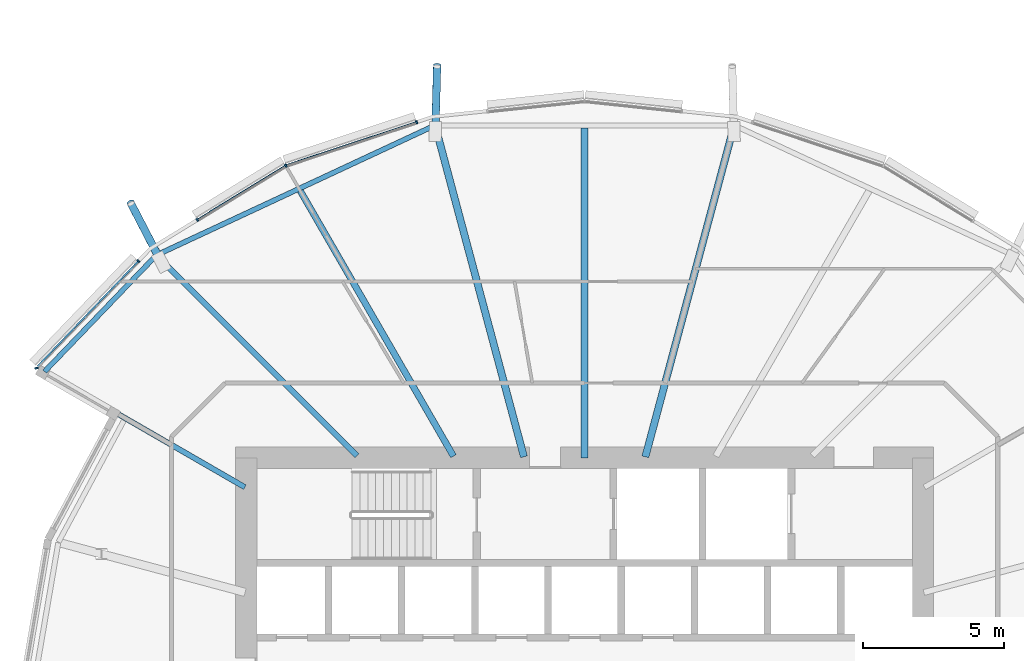
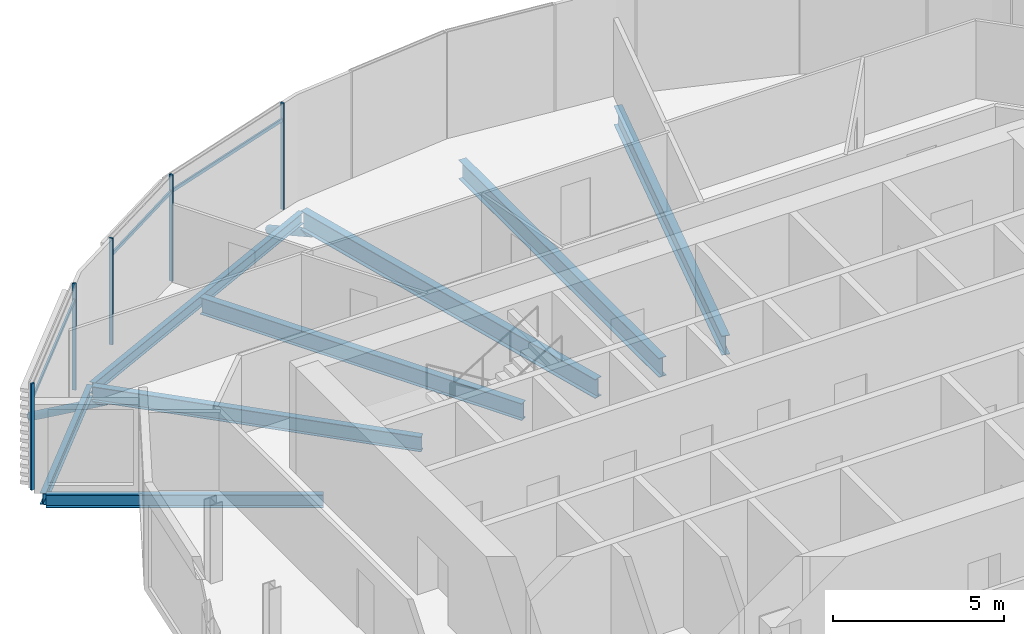
# One storey, part 10 of 38: 10 members, 8 beams, 1 element without a shape of its own.
"""IFC4 building model written with IfcOpenShell, lengths in metres."""

import ifcopenshell
import ifcopenshell.guid

model = None  # the IFC model being written
_history = None  # IfcOwnerHistory: only IFC2X3 demands one
_inside = {}  # id of a spatial element -> (the spatial element, [elements in it])
_under = {}  # id of a project, library or spatial element -> (it, [spatial elements below it])
_declared = {}  # id of a project -> (the project, [libraries it declares])
_typed = {}  # id of a type object -> (the type object, [elements of that type])
_made_of = {}  # id of a material, layer set ... -> (it, [elements and type objects made of it])


def new_model(schema):
    """Start an empty IFC model of exactly this schema.

    Asked for "IFC4X3", IfcOpenShell would pick the latest addendum, in which some entities
    have other attributes; the version numbers below select the first issue.
    IFC2X3 requires an IfcOwnerHistory on every rooted entity: one is made here for all.
    """
    global model, _history
    if schema == "IFC4X3":
        model = ifcopenshell.file(schema_version=(4, 3, 0, 0))
    else:
        model = ifcopenshell.file(schema=schema)
    _inside.clear()
    _under.clear()
    _declared.clear()
    _typed.clear()
    _made_of.clear()
    _history = None
    if model.schema == "IFC2X3":
        org = make("IfcOrganization", Name="unknown")
        user = make(
            "IfcPersonAndOrganization",
            ThePerson=make("IfcPerson", FamilyName="unknown"),
            TheOrganization=org,
        )
        app = make(
            "IfcApplication",
            ApplicationDeveloper=org,
            Version="unknown",
            ApplicationFullName="unknown",
            ApplicationIdentifier="unknown",
        )
        _history = make(
            "IfcOwnerHistory",
            OwningUser=user,
            OwningApplication=app,
            ChangeAction="ADDED",
            CreationDate=0,
        )
    return model


def make(cls, **values):
    """One entity of the class cls with the attributes given. An attribute that is None is left unset."""
    return model.create_entity(
        cls, **{name: value for name, value in values.items() if value is not None}
    )


def rooted(cls, **values):
    """An entity with a GlobalId (a new one), such as an element, a storey or a relation."""
    return make(cls, GlobalId=ifcopenshell.guid.new(), OwnerHistory=_history, **values)


def si_unit(unit_type, name, prefix=None):
    """IfcSIUnit, for example si_unit("LENGTHUNIT", "METRE", prefix="MILLI")."""
    return make("IfcSIUnit", UnitType=unit_type, Prefix=prefix, Name=name)


def assignment(units):
    """IfcUnitAssignment: the units of a project."""
    return None if units is None else make("IfcUnitAssignment", Units=units)


def point(xyz):
    """IfcCartesianPoint."""
    return None if xyz is None else make("IfcCartesianPoint", Coordinates=xyz)


def direction(xyz):
    """IfcDirection."""
    return None if xyz is None else make("IfcDirection", DirectionRatios=xyz)


def frame(location, z_axis=None, x_axis=None):
    """IfcAxis2Placement3D, a coordinate frame: its origin and axes. An axis left out is left unset."""
    return make(
        "IfcAxis2Placement3D",
        Location=point(location),
        Axis=direction(z_axis),
        RefDirection=direction(x_axis),
    )


def frame_2d(location, x_axis=None):
    """IfcAxis2Placement2D, a coordinate frame in the plane: its origin and x axis."""
    return make(
        "IfcAxis2Placement2D", Location=point(location), RefDirection=direction(x_axis)
    )


def origin():
    """The frame at (0, 0, 0) with its axes left unset."""
    return frame((0.0, 0.0, 0.0))


def origin_2d():
    """The frame at (0, 0) in the plane with its x axis left unset."""
    return frame_2d((0.0, 0.0))


def place(relative_to, where):
    """IfcLocalPlacement: puts the frame where relative to a parent placement (None: the world)."""
    return make(
        "IfcLocalPlacement", PlacementRelTo=relative_to, RelativePlacement=where
    )


def context(
    kind, dimensions, precision=None, world=None, true_north=None, identifier=None
):
    """IfcGeometricRepresentationContext, for example the 3D "Model" context."""
    return make(
        "IfcGeometricRepresentationContext",
        ContextIdentifier=identifier,
        ContextType=kind,
        CoordinateSpaceDimension=dimensions,
        Precision=precision,
        WorldCoordinateSystem=world,
        TrueNorth=true_north,
    )


def subcontext(parent, identifier, kind, view, scale=None):
    """IfcGeometricRepresentationSubContext, for example "Body" below "Model"."""
    return make(
        "IfcGeometricRepresentationSubContext",
        ContextIdentifier=identifier,
        ContextType=kind,
        ParentContext=parent,
        TargetScale=scale,
        TargetView=view,
    )


def project(units=None, contexts=None):
    """IfcProject with its units and contexts."""
    return rooted(
        "IfcProject",
        Name="project",
        RepresentationContexts=contexts,
        UnitsInContext=assignment(units),
    )


def spatial(cls, under=None, at=None, **own):
    """A site, building, storey or space (cls), placed at a placement, below another one or the project."""
    s = rooted(cls, ObjectPlacement=at, **own)
    if under is not None:
        _under.setdefault(under.id(), (under, []))[1].append(s)
    return s


def profile(cls, at=None, kind="AREA", **sizes):
    """A parametric profile (cls). Its sizes go by their IFC names, for example OverallWidth=200.0."""
    return make(cls, ProfileType=kind, Position=at, **sizes)


def rectangle(**sizes):
    """IfcRectangleProfileDef."""
    return profile("IfcRectangleProfileDef", **sizes)


def hollow_circle(**sizes):
    """IfcCircleHollowProfileDef."""
    return profile("IfcCircleHollowProfileDef", **sizes)


def i_section(**sizes):
    """IfcIShapeProfileDef."""
    return profile("IfcIShapeProfileDef", **sizes)


def extrude(swept, where, along, depth):
    """IfcExtrudedAreaSolid: the profile swept, set in the frame where, extruded along a direction by depth."""
    return make(
        "IfcExtrudedAreaSolid",
        SweptArea=swept,
        Position=where,
        ExtrudedDirection=direction(along),
        Depth=depth,
    )


def clip(a, b, op="DIFFERENCE"):
    """IfcBooleanClippingResult: the solid a cut by the half space b."""
    return make(
        "IfcBooleanClippingResult", Operator=op, FirstOperand=a, SecondOperand=b
    )


def halfspace(plane, agree):
    """IfcHalfSpaceSolid: all space on one side of the plane z = 0 of the frame plane."""
    return make(
        "IfcHalfSpaceSolid",
        BaseSurface=make("IfcPlane", Position=plane),
        AgreementFlag=agree,
    )


def shape(context_of_items, identifier, shape_type, items):
    """IfcShapeRepresentation: the items that make up one representation, for example the "Body"."""
    return make(
        "IfcShapeRepresentation",
        ContextOfItems=context_of_items,
        RepresentationIdentifier=identifier,
        RepresentationType=shape_type,
        Items=items,
    )


def material(Name=None, Category=None):
    """IfcMaterial."""
    return make("IfcMaterial", Name=Name, Category=Category)


def material_profile(
    of_material, cross_section, Name=None, Category=None, Priority=None
):
    """IfcMaterialProfile: a cross section and its material."""
    return make(
        "IfcMaterialProfile",
        Name=Name,
        Material=of_material,
        Profile=cross_section,
        Priority=Priority,
        Category=Category,
    )


def profile_set(profiles, Name=None, composite=None):
    """IfcMaterialProfileSet."""
    return make(
        "IfcMaterialProfileSet",
        Name=Name,
        MaterialProfiles=profiles,
        CompositeProfile=composite,
    )


def made_of(thing, what):
    """Note that an element or type object is made of a material, layer set ...; save() writes the relation."""
    if what is not None:
        _made_of.setdefault(what.id(), (what, []))[1].append(thing)
    return thing


def type_object(cls, material=None, **own):
    """A type object (cls), such as IfcWallType, which elements share."""
    return made_of(rooted(cls, **own), material)


def element(
    cls,
    number,
    at=None,
    inside=None,
    cuts=None,
    type_object=None,
    material=None,
    context=None,
    identifier="Body",
    shape_type=None,
    held_by="IfcProductDefinitionShape",
    body=None,
    shapes=None,
    **own,
):
    """One element of the class cls, such as IfcWall. Its Tag is "e" and its number.

    at: its placement. inside: the storey or other place that contains it. cuts: it is an
    opening in that element (IfcRelVoidsElement). A single representation is given by context,
    identifier, shape_type and body (its items); several are given by shapes. held_by: the class
    of the entity that holds the representations. save() writes the other relations.
    """
    e = rooted(cls, Tag="e%d" % number, ObjectPlacement=at, **own)
    if body is not None:
        shapes = [shape(context, identifier, shape_type, body)]
    if shapes is not None:
        e.Representation = make(held_by, Representations=shapes)
    if inside is not None:
        _inside.setdefault(inside.id(), (inside, []))[1].append(e)
    if cuts is not None:
        rooted(
            "IfcRelVoidsElement", RelatingBuildingElement=cuts, RelatedOpeningElement=e
        )
    if type_object is not None:
        _typed.setdefault(type_object.id(), (type_object, []))[1].append(e)
    return made_of(e, material)


def aggregate(whole, parts):
    """IfcRelAggregates: a whole, such as a stair, and the parts it consists of."""
    return rooted("IfcRelAggregates", RelatingObject=whole, RelatedObjects=parts)


def save(model, path):
    """Write the relations noted so far, then the file.

    IfcRelAggregates (storeys below a building ...), IfcRelContainedInSpatialStructure (elements
    in a storey), IfcRelDefinesByType, IfcRelAssociatesMaterial and IfcRelDeclares: one each for
    every whole, place, type object, material and project.
    """
    for whole, parts in _under.values():
        aggregate(whole, parts)
    for where, things in _inside.values():
        rooted(
            "IfcRelContainedInSpatialStructure",
            RelatedElements=things,
            RelatingStructure=where,
        )
    for kind, things in _typed.values():
        rooted("IfcRelDefinesByType", RelatedObjects=things, RelatingType=kind)
    for what, things in _made_of.values():
        rooted("IfcRelAssociatesMaterial", RelatedObjects=things, RelatingMaterial=what)
    for by, libraries in _declared.values():
        rooted("IfcRelDeclares", RelatingContext=by, RelatedDefinitions=libraries)
    model.write(path)


model = new_model("IFC4")

# Units and contexts
model_context = context("Model", 3, precision=1e-05, world=origin(), true_north=direction((0.0, 1.0)))
body_context = subcontext(model_context, "Body", "Model", "MODEL_VIEW")
ifc_project = project(units=[si_unit("LENGTHUNIT", "METRE"), si_unit("AREAUNIT", "SQUARE_METRE"), si_unit("VOLUMEUNIT", "CUBIC_METRE"), si_unit("PLANEANGLEUNIT", "RADIAN"), si_unit("MASSUNIT", "GRAM", prefix="KILO")], contexts=[model_context])

# Site, building, storey
site_placement = place(None, origin())
site = spatial("IfcSite", under=ifc_project, at=site_placement, CompositionType="ELEMENT")
building_placement = place(site_placement, origin())
building = spatial("IfcBuilding", under=site, at=building_placement, Name="Rimbun Link Towers", CompositionType="ELEMENT")
storey_placement = place(building_placement, frame((0.0, 0.0, 119.60009765625)))
storey = spatial("IfcBuildingStorey", under=building, at=storey_placement, Name="L29", CompositionType="ELEMENT", Elevation=119.60009765625)

# Curtain wall, members
ifc_material_1 = material(Name="Aluminium 6063-T6 and low-iron glass", Category="aluminium")
curtain_wall_type = type_object("IfcCurtainWallType", Name="CW1-Z2 unitised vision wall (zone 2)", PredefinedType="NOTDEFINED", material=ifc_material_1)
curtain_wall_placement = place(storey_placement, origin())
curtain_wall = element("IfcCurtainWall", 1, at=curtain_wall_placement, inside=storey, type_object=curtain_wall_type, Name="CW1 L29 T1", PredefinedType="NOTDEFINED")
ifc_material_2 = material(Name="Aluminium 6063-T6", Category="aluminium")
ifc_material_profile_1 = material_profile(ifc_material_2, rectangle(XDim=0.1201171875, YDim=0.06005859375, at=origin_2d()), Name="MULLION 60X120")
ifc_profile_set_1 = profile_set([ifc_material_profile_1], Name="Aluminium 6063-T6")
member_type_1 = type_object("IfcMemberType", Name="CW1 mullion 60X120", PredefinedType="MULLION", material=ifc_profile_set_1)
member_1_placement = place(storey_placement, frame((-42.34619140625, 18.364013671875, 0.0), z_axis=(0.0, 0.0, 1.0), x_axis=(-0.421704717158, 0.9067332196, 0.0)))
member_1 = element("IfcMember", 2, at=member_1_placement, type_object=member_type_1, Name="CW1 mullion", PredefinedType="MULLION", context=body_context, shape_type="SweptSolid", body=[
    extrude(rectangle(XDim=0.1201171875, YDim=0.06005859375, at=origin_2d()), origin(), (0.0, 0.0, 1.0), 3.7998046875),
])
member_2_placement = place(storey_placement, frame((-37.706298828125, 19.90185546875, 0.0), z_axis=(0.0, 0.0, 1.0), x_axis=(-0.314563424855, 0.949236457235, 0.0)))
member_2 = element("IfcMember", 3, at=member_2_placement, type_object=member_type_1, Name="CW1 mullion", PredefinedType="MULLION", context=body_context, shape_type="SweptSolid", body=[
    extrude(rectangle(XDim=0.1201171875, YDim=0.06005859375, at=origin_2d()), origin(), (0.0, 0.0, 1.0), 3.7998046875),
])
member_3_placement = place(storey_placement, frame((-45.4853515625, 16.43701171875, 0.0), z_axis=(0.0, 0.0, 1.0), x_axis=(-0.523243332621, 0.852183322336, 0.0)))
member_3 = element("IfcMember", 4, at=member_3_placement, type_object=member_type_1, Name="CW1 mullion", PredefinedType="MULLION", context=body_context, shape_type="SweptSolid", body=[
    extrude(rectangle(XDim=0.1201171875, YDim=0.06005859375, at=origin_2d()), origin(), (0.0, 0.0, 1.0), 3.7998046875),
])
member_4_placement = place(storey_placement, frame((-51.182861328125, 11.1767578125, 0.0), z_axis=(0.0, 0.0, 1.0), x_axis=(-0.990015901246, -0.14095572099, 0.0)))
member_4 = element("IfcMember", 5, at=member_4_placement, type_object=member_type_1, Name="CW1 mullion", PredefinedType="MULLION", context=body_context, shape_type="SweptSolid", body=[
    extrude(rectangle(XDim=0.1201171875, YDim=0.06005859375, at=origin_2d()), origin(), (0.0, 0.0, 1.0), 3.7998046875),
])
member_5_placement = place(storey_placement, frame((-47.57421875, 14.97412109375, 0.0), z_axis=(0.0, 0.0, 1.0), x_axis=(-0.721834717261, 0.692065488922, 0.0)))
member_5 = element("IfcMember", 6, at=member_5_placement, type_object=member_type_1, Name="CW1 mullion", PredefinedType="MULLION", context=body_context, shape_type="SweptSolid", body=[
    extrude(rectangle(XDim=0.1201171875, YDim=0.06005859375, at=origin_2d()), origin(), (0.0, 0.0, 1.0), 3.7998046875),
])
ifc_material_3 = material(Name="Aluminium 6063-T6", Category="aluminium")
ifc_material_profile_2 = material_profile(ifc_material_3, rectangle(XDim=0.06005859375, YDim=0.1201171875, at=origin_2d()), Name="TRANSOM 60X120")
ifc_profile_set_2 = profile_set([ifc_material_profile_2], Name="Aluminium 6063-T6")
member_type_2 = type_object("IfcMemberType", Name="CW1 transom 60X120", PredefinedType="USERDEFINED", material=ifc_profile_set_2)
member_6_placement = place(storey_placement, frame((-42.310791015625, 18.3740234375, 3.199951171875), z_axis=(0.94923382133, 0.314571378933, 0.0), x_axis=(-0.314571378933, 0.94923382133, 0.0)))
member_6 = element("IfcMember", 7, at=member_6_placement, type_object=member_type_2, Name="CW1 transom", ObjectType="TRANSOM", PredefinedType="USERDEFINED", context=body_context, shape_type="SweptSolid", body=[
    extrude(rectangle(XDim=0.06005859375, YDim=0.1201171875, at=origin_2d()), origin(), (0.0, 0.0, 1.0), 4.8212890625),
])
member_7_placement = place(storey_placement, frame((-45.458740234375, 16.450927734375, 3.199951171875), z_axis=(0.85217016947, 0.52326475351, 0.0), x_axis=(-0.52326475351, 0.85217016947, 0.0)))
member_7 = element("IfcMember", 8, at=member_7_placement, type_object=member_type_2, Name="CW1 transom", ObjectType="TRANSOM", PredefinedType="USERDEFINED", context=body_context, shape_type="SweptSolid", body=[
    extrude(rectangle(XDim=0.06005859375, YDim=0.1201171875, at=origin_2d()), origin(), (0.0, 0.0, 1.0), 3.616455078125),
])
member_8_placement = place(storey_placement, frame((-51.14453125, 11.2470703125, 3.199951171875), z_axis=(0.692057260801, 0.721842605955, 0.0), x_axis=(-0.721842605955, 0.692057260801, 0.0)))
member_8 = element("IfcMember", 9, at=member_8_placement, type_object=member_type_2, Name="CW1 transom", ObjectType="TRANSOM", PredefinedType="USERDEFINED", context=body_context, shape_type="SweptSolid", body=[
    extrude(rectangle(XDim=0.06005859375, YDim=0.1201171875, at=origin_2d()), origin(), (0.0, 0.0, 1.0), 5.131103515625),
])
aggregate(curtain_wall, [member_1, member_2, member_3, member_4, member_5, member_6, member_7, member_8])

# Members
ifc_material_4 = material(Name="Steel S355J2H", Category="steel")
ifc_material_profile_3 = material_profile(ifc_material_4, hollow_circle(Radius=0.136474609375, WallThickness=0.012451171875, at=origin_2d()), Name="CHS 273x12.5")
ifc_profile_set_3 = profile_set([ifc_material_profile_3], Name="Steel S355J2H")
member_type_3 = type_object("IfcMemberType", Name="Floor edge link CHS 273x12.5", PredefinedType="BRACE", material=ifc_profile_set_3)
member_9_placement = place(storey_placement, frame((-37.03955078125, 19.740966796875, -0.9619140625), z_axis=(0.023737253194, 0.869133688655, -0.494007261136), x_axis=(-0.999627252375, 0.027301214415, 0.0)))
element("IfcMember", 10, at=member_9_placement, inside=storey, type_object=member_type_3, Name="Floor edge link T1 L29 07", PredefinedType="BRACE", context=body_context, shape_type="Clipping", body=[
    clip(extrude(hollow_circle(Radius=0.136474609375, WallThickness=0.012451171875, at=origin_2d()), frame((0.0, 0.0, -0.500732421875)), (0.0, 0.0, 1.0), 3.01025390625), halfspace(frame((0.0, 0.0, -0.2353515625), z_axis=(0.0, 0.869457776976, -0.494007261136)), False)),
])
member_10_placement = place(storey_placement, frame((-46.8349609375, 15.0849609375, -0.810546875), z_axis=(-0.396551702067, 0.765183892891, -0.50718868052), x_axis=(-0.887854234504, -0.460124829013, 0.0)))
element("IfcMember", 11, at=member_10_placement, inside=storey, type_object=member_type_3, Name="Floor edge link T1 L29 09", PredefinedType="BRACE", context=body_context, shape_type="Clipping", body=[
    clip(extrude(hollow_circle(Radius=0.136474609375, WallThickness=0.012451171875, at=origin_2d()), frame((0.0, 0.0, -0.483642578125)), (0.0, 0.0, 1.0), 3.063232421875), halfspace(frame((0.0, 0.0, -0.2275390625), z_axis=(0.0, 0.861835043586, -0.50718868052)), False)),
])

# Beams
ifc_material_5 = material(Name="Steel S355J2", Category="steel")
ifc_material_profile_4 = material_profile(ifc_material_5, i_section(OverallWidth=0.177978515625, OverallDepth=0.406494140625, WebThickness=0.0078125, FlangeThickness=0.0126953125, at=origin_2d()), Name="UB 406x178x60")
ifc_profile_set_4 = profile_set([ifc_material_profile_4], Name="Steel S355J2")
beam_type_1 = type_object("IfcBeamType", Name="UB 406x178x60", PredefinedType="BEAM", material=ifc_profile_set_4)
beam_1_placement = place(storey_placement, frame((-37.170166015625, 19.734375, -0.36328125), z_axis=(-0.906387823698, -0.422446580116, 0.0), x_axis=(0.422446580116, -0.906387823698, 0.0)))
element("IfcBeam", 12, at=beam_1_placement, inside=storey, type_object=beam_type_1, Name="Edge beam T1 L29 07-09", PredefinedType="BEAM", context=body_context, shape_type="SweptSolid", body=[
    extrude(i_section(OverallWidth=0.177978515625, OverallDepth=0.406494140625, WebThickness=0.0078125, FlangeThickness=0.0126953125, at=origin_2d()), origin(), (0.0, 0.0, 1.0), 10.65966796875),
])
beam_2_placement = place(storey_placement, frame((-46.9345703125, 15.18310546875, -0.36328125), z_axis=(-0.692952668901, -0.720983077931, 0.0), x_axis=(0.720983077931, -0.692952668901, 0.0)))
element("IfcBeam", 13, at=beam_2_placement, inside=storey, type_object=beam_type_1, Name="Edge beam T1 L29 09", PredefinedType="BEAM", context=body_context, shape_type="SweptSolid", body=[
    extrude(i_section(OverallWidth=0.177978515625, OverallDepth=0.406494140625, WebThickness=0.0078125, FlangeThickness=0.0126953125, at=origin_2d()), origin(), (0.0, 0.0, 1.0), 5.722412109375),
])
ifc_material_6 = material(Name="Steel S355J2", Category="steel")
ifc_material_profile_5 = material_profile(ifc_material_6, i_section(OverallWidth=0.18994140625, OverallDepth=0.453369140625, WebThickness=0.008544921875, FlangeThickness=0.0126953125, at=origin_2d()), Name="UB 457x191x67")
ifc_profile_set_5 = profile_set([ifc_material_profile_5], Name="Steel S355J2")
beam_type_2 = type_object("IfcBeamType", Name="UB 457x191x67", PredefinedType="BEAM", material=ifc_profile_set_5)
beam_3_placement = place(storey_placement, frame((-43.79833984375, 6.9560546875, -0.38671875), z_axis=(-0.866022123962, 0.500005680777, 0.0), x_axis=(-0.500005680777, -0.866022123962, 0.0)))
element("IfcBeam", 14, at=beam_3_placement, inside=storey, type_object=beam_type_2, Name="Radial beam T1 L29 10", PredefinedType="BEAM", context=body_context, shape_type="SweptSolid", body=[
    extrude(i_section(OverallWidth=0.18994140625, OverallDepth=0.453369140625, WebThickness=0.008544921875, FlangeThickness=0.0126953125, at=origin_2d()), origin(), (0.0, 0.0, 1.0), 8.1083984375),
])
ifc_material_7 = material(Name="Steel S355J2", Category="steel")
ifc_material_profile_6 = material_profile(ifc_material_7, i_section(OverallWidth=0.209228515625, OverallDepth=0.533203125, WebThickness=0.010009765625, FlangeThickness=0.015625, at=origin_2d()), Name="UB 533x210x92")
ifc_profile_set_6 = profile_set([ifc_material_profile_6], Name="Steel S355J2")
beam_type_3 = type_object("IfcBeamType", Name="UB 533x210x92", PredefinedType="BEAM", material=ifc_profile_set_6)
beam_4_placement = place(storey_placement, frame((-39.82470703125, 8.07470703125, -0.426513671875), z_axis=(-0.707106781187, 0.707106781187, 0.0), x_axis=(-0.707106781187, -0.707106781187, 0.0)))
element("IfcBeam", 15, at=beam_4_placement, inside=storey, type_object=beam_type_3, Name="Radial beam T1 L29 09", PredefinedType="BEAM", context=body_context, shape_type="SweptSolid", body=[
    extrude(i_section(OverallWidth=0.209228515625, OverallDepth=0.533203125, WebThickness=0.010009765625, FlangeThickness=0.015625, at=origin_2d()), origin(), (0.0, 0.0, 1.0), 9.963623046875),
])
ifc_material_8 = material(Name="Steel S355J2", Category="steel")
ifc_material_profile_7 = material_profile(ifc_material_8, i_section(OverallWidth=0.2275390625, OverallDepth=0.6025390625, WebThickness=0.010498046875, FlangeThickness=0.014892578125, at=origin_2d()), Name="UB 610x229x101")
ifc_profile_set_7 = profile_set([ifc_material_profile_7], Name="Steel S355J2")
beam_type_4 = type_object("IfcBeamType", Name="UB 610x229x101", PredefinedType="BEAM", material=ifc_profile_set_7)
beam_5_placement = place(storey_placement, frame((-36.402099609375, 8.057861328125, -0.46142578125), z_axis=(-0.49999814997, 0.866026471897, 0.0), x_axis=(-0.866026471897, -0.49999814997, 0.0)))
element("IfcBeam", 16, at=beam_5_placement, inside=storey, type_object=beam_type_4, Name="Radial beam T1 L29 08", PredefinedType="BEAM", context=body_context, shape_type="SweptSolid", body=[
    extrude(i_section(OverallWidth=0.2275390625, OverallDepth=0.6025390625, WebThickness=0.010498046875, FlangeThickness=0.014892578125, at=origin_2d()), origin(), (0.0, 0.0, 1.0), 10.859375),
])
ifc_material_9 = material(Name="Steel S355J2", Category="steel")
ifc_material_profile_8 = material_profile(ifc_material_9, i_section(OverallWidth=0.253662109375, OverallDepth=0.68359375, WebThickness=0.012451171875, FlangeThickness=0.01904296875, at=origin_2d()), Name="UB 686x254x140")
ifc_profile_set_8 = profile_set([ifc_material_profile_8], Name="Steel S355J2")
beam_type_5 = type_object("IfcBeamType", Name="UB 686x254x140", PredefinedType="BEAM", material=ifc_profile_set_8)
beam_6_placement = place(storey_placement, frame((-29.597412109375, 8.03369140625, -0.501953125), z_axis=(0.258818641485, 0.965925934438, 0.0), x_axis=(-0.965925934438, 0.258818641485, 0.0)))
element("IfcBeam", 17, at=beam_6_placement, inside=storey, type_object=beam_type_5, Name="Radial beam T1 L29 05", PredefinedType="BEAM", context=body_context, shape_type="SweptSolid", body=[
    extrude(i_section(OverallWidth=0.253662109375, OverallDepth=0.68359375, WebThickness=0.012451171875, FlangeThickness=0.01904296875, at=origin_2d()), origin(), (0.0, 0.0, 1.0), 12.17041015625),
])
beam_7_placement = place(storey_placement, frame((-31.75, 8.0009765625, -0.501953125), z_axis=(0.0, 1.0, 0.0), x_axis=(-1.0, 0.0, 0.0)))
element("IfcBeam", 18, at=beam_7_placement, inside=storey, type_object=beam_type_5, Name="Radial beam T1 L29 06", PredefinedType="BEAM", context=body_context, shape_type="SweptSolid", body=[
    extrude(i_section(OverallWidth=0.253662109375, OverallDepth=0.68359375, WebThickness=0.012451171875, FlangeThickness=0.01904296875, at=origin_2d()), origin(), (0.0, 0.0, 1.0), 11.6982421875),
])
beam_8_placement = place(storey_placement, frame((-33.902587890625, 8.03369140625, -0.501953125), z_axis=(-0.258818641485, 0.965925934438, 0.0), x_axis=(-0.965925934438, -0.258818641485, 0.0)))
element("IfcBeam", 19, at=beam_8_placement, inside=storey, type_object=beam_type_5, Name="Radial beam T1 L29 07", PredefinedType="BEAM", context=body_context, shape_type="SweptSolid", body=[
    extrude(i_section(OverallWidth=0.253662109375, OverallDepth=0.68359375, WebThickness=0.012451171875, FlangeThickness=0.01904296875, at=origin_2d()), origin(), (0.0, 0.0, 1.0), 12.17041015625),
])

save(model, "model.ifc")
